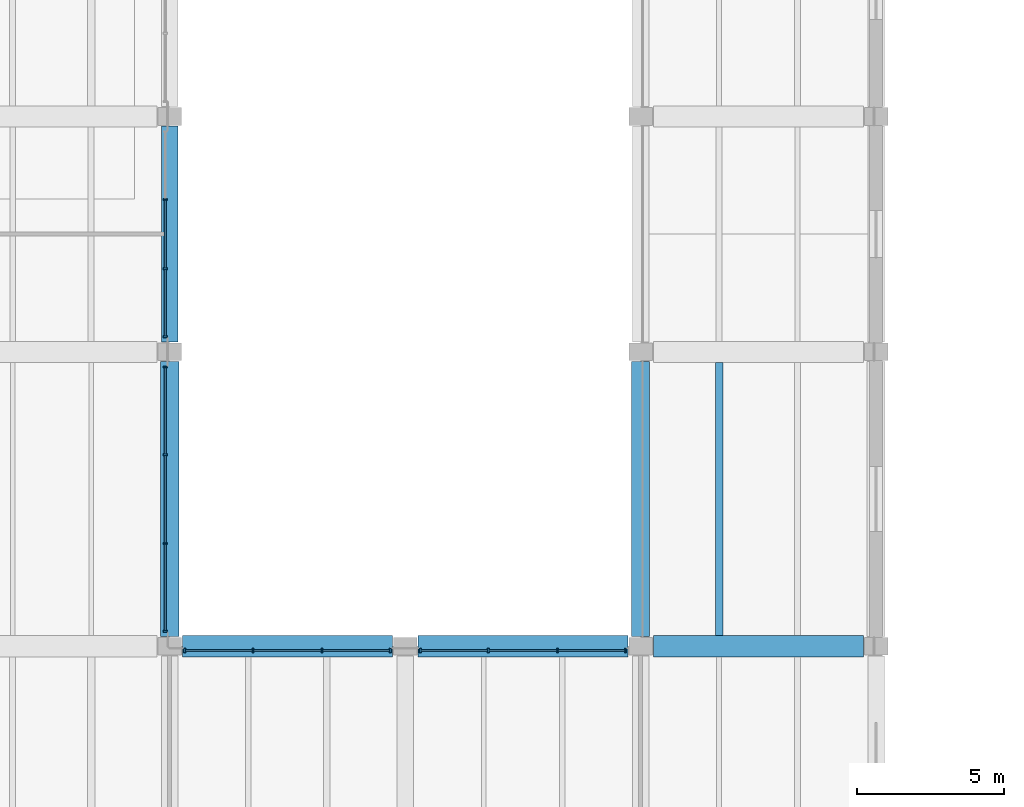
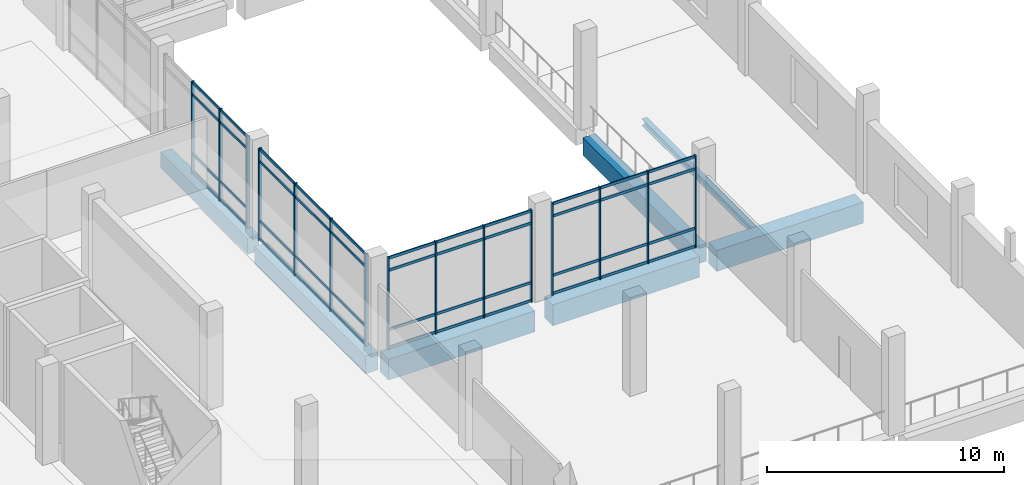
# One storey, part 23 of 61: 59 members, 7 beams, 4 elements without a shape of their own.
"""IFC4 building model written with IfcOpenShell, lengths in metres."""

from ifc_helpers import new_model, si_unit, direction, frame, origin, origin_2d, place, context, subcontext, project, spatial, rectangle, i_section, extrude, material, material_profile, profile_set, type_object, element, aggregate, save


model = new_model("IFC4")

# Units and contexts
model_context = context("Model", 3, precision=1e-05, world=origin(), true_north=direction((0.0, 1.0)))
body_context = subcontext(model_context, "Body", "Model", "MODEL_VIEW")
ifc_project = project(units=[si_unit("LENGTHUNIT", "METRE"), si_unit("AREAUNIT", "SQUARE_METRE"), si_unit("VOLUMEUNIT", "CUBIC_METRE"), si_unit("PLANEANGLEUNIT", "RADIAN"), si_unit("MASSUNIT", "GRAM", prefix="KILO")], contexts=[model_context])

# Site, building, storey
site_placement = place(None, origin())
site = spatial("IfcSite", under=ifc_project, at=site_placement, CompositionType="ELEMENT")
building_placement = place(site_placement, origin())
building = spatial("IfcBuilding", under=site, at=building_placement, Name="Pecanmere Concourse Central Library", CompositionType="ELEMENT")
storey_placement = place(building_placement, frame((0.0, 0.0, 5.39990234375)))
storey = spatial("IfcBuildingStorey", under=building, at=storey_placement, Name="L02", CompositionType="ELEMENT", Elevation=5.39990234375)

# Curtain wall, members
ifc_material_1 = material(Name="Clear anodized aluminium alloy 6063-T6", Category="aluminium")
curtain_wall_type = type_object("IfcCurtainWallType", Name="CW_CLOISTER_GLAZ", PredefinedType="USERDEFINED", material=ifc_material_1)
curtain_wall_1_placement = place(storey_placement, origin())
curtain_wall_1 = element("IfcCurtainWall", 1, at=curtain_wall_1_placement, inside=storey, type_object=curtain_wall_type, Name="Unitised Curtain Wall CW-04 L02-115", ObjectType="UNITISED CURTAIN WALL", PredefinedType="USERDEFINED")
ifc_material_2 = material(Name="Clear anodized aluminium alloy 6063-T6", Category="aluminium")
ifc_material_profile_1 = material_profile(ifc_material_2, rectangle(XDim=0.06005859375, YDim=0.14990234375, at=origin_2d()), Name="AL 60x150")
ifc_profile_set_1 = profile_set([ifc_material_profile_1], Name="Clear anodized aluminium alloy 6063-T6")
member_type_1 = type_object("IfcMemberType", Name="CWM_150x60", PredefinedType="MULLION", material=ifc_profile_set_1)
member_1_placement = place(storey_placement, frame((127.85009765625, 64.510009765625, 0.0), z_axis=(0.0, 0.0, 1.0), x_axis=(0.0, 1.0, 0.0)))
member_1 = element("IfcMember", 2, at=member_1_placement, type_object=member_type_1, Name="CW-04 Mullion 1", PredefinedType="MULLION", context=body_context, shape_type="SweptSolid", body=[
    extrude(rectangle(XDim=0.06005859375, YDim=0.14990234375, at=origin_2d()), origin(), (0.0, 0.0, 1.0), 4.760009765625),
])
member_2_placement = place(storey_placement, frame((127.85009765625, 67.493408203125, 0.0), z_axis=(0.0, 0.0, 1.0), x_axis=(0.0, 1.0, 0.0)))
member_2 = element("IfcMember", 3, at=member_2_placement, type_object=member_type_1, Name="CW-04 Mullion 2", PredefinedType="MULLION", context=body_context, shape_type="SweptSolid", body=[
    extrude(rectangle(XDim=0.06005859375, YDim=0.14990234375, at=origin_2d()), origin(), (0.0, 0.0, 1.0), 4.760009765625),
])
member_3_placement = place(storey_placement, frame((127.85009765625, 70.506591796875, 0.0), z_axis=(0.0, 0.0, 1.0), x_axis=(0.0, 1.0, 0.0)))
member_3 = element("IfcMember", 4, at=member_3_placement, type_object=member_type_1, Name="CW-04 Mullion 3", PredefinedType="MULLION", context=body_context, shape_type="SweptSolid", body=[
    extrude(rectangle(XDim=0.06005859375, YDim=0.14990234375, at=origin_2d()), origin(), (0.0, 0.0, 1.0), 4.760009765625),
])
member_4_placement = place(storey_placement, frame((127.85009765625, 73.489990234375, 0.0), z_axis=(0.0, 0.0, 1.0), x_axis=(0.0, 1.0, 0.0)))
member_4 = element("IfcMember", 5, at=member_4_placement, type_object=member_type_1, Name="CW-04 Mullion 4", PredefinedType="MULLION", context=body_context, shape_type="SweptSolid", body=[
    extrude(rectangle(XDim=0.06005859375, YDim=0.14990234375, at=origin_2d()), origin(), (0.0, 0.0, 1.0), 4.760009765625),
])

curtain_wall_2_placement = place(storey_placement, origin())
curtain_wall_2 = element("IfcCurtainWall", 6, at=curtain_wall_2_placement, inside=storey, type_object=curtain_wall_type, Name="Unitised Curtain Wall CW-04 L02-117", ObjectType="UNITISED CURTAIN WALL", PredefinedType="USERDEFINED")
member_5_placement = place(storey_placement, frame((127.85009765625, 74.510009765625, 0.0), z_axis=(0.0, 0.0, 1.0), x_axis=(0.0, 1.0, 0.0)))
member_5 = element("IfcMember", 7, at=member_5_placement, type_object=member_type_1, Name="CW-04 Mullion 1", PredefinedType="MULLION", context=body_context, shape_type="SweptSolid", body=[
    extrude(rectangle(XDim=0.06005859375, YDim=0.14990234375, at=origin_2d()), origin(), (0.0, 0.0, 1.0), 4.760009765625),
])
member_6_placement = place(storey_placement, frame((127.85009765625, 76.82666015625, 0.0), z_axis=(0.0, 0.0, 1.0), x_axis=(0.0, 1.0, 0.0)))
member_6 = element("IfcMember", 8, at=member_6_placement, type_object=member_type_1, Name="CW-04 Mullion 2", PredefinedType="MULLION", context=body_context, shape_type="SweptSolid", body=[
    extrude(rectangle(XDim=0.06005859375, YDim=0.14990234375, at=origin_2d()), origin(), (0.0, 0.0, 1.0), 4.760009765625),
])
member_7_placement = place(storey_placement, frame((127.85009765625, 79.17333984375, 0.0), z_axis=(0.0, 0.0, 1.0), x_axis=(0.0, 1.0, 0.0)))
member_7 = element("IfcMember", 9, at=member_7_placement, type_object=member_type_1, Name="CW-04 Mullion 3", PredefinedType="MULLION", context=body_context, shape_type="SweptSolid", body=[
    extrude(rectangle(XDim=0.06005859375, YDim=0.14990234375, at=origin_2d()), origin(), (0.0, 0.0, 1.0), 4.760009765625),
])

curtain_wall_3_placement = place(storey_placement, origin())
curtain_wall_3 = element("IfcCurtainWall", 10, at=curtain_wall_3_placement, inside=storey, type_object=curtain_wall_type, Name="Unitised Curtain Wall CW-04 L02-121", ObjectType="UNITISED CURTAIN WALL", PredefinedType="USERDEFINED")
member_8_placement = place(storey_placement, frame((128.510009765625, 63.85009765625, 0.0), z_axis=(0.0, 0.0, 1.0), x_axis=(1.0, 0.0, 0.0)))
member_8 = element("IfcMember", 11, at=member_8_placement, type_object=member_type_1, Name="CW-04 Mullion 1", PredefinedType="MULLION", context=body_context, shape_type="SweptSolid", body=[
    extrude(rectangle(XDim=0.06005859375, YDim=0.14990234375, at=origin_2d()), origin(), (0.0, 0.0, 1.0), 4.760009765625),
])
member_9_placement = place(storey_placement, frame((130.82666015625, 63.85009765625, 0.0), z_axis=(0.0, 0.0, 1.0), x_axis=(1.0, 0.0, 0.0)))
member_9 = element("IfcMember", 12, at=member_9_placement, type_object=member_type_1, Name="CW-04 Mullion 2", PredefinedType="MULLION", context=body_context, shape_type="SweptSolid", body=[
    extrude(rectangle(XDim=0.06005859375, YDim=0.14990234375, at=origin_2d()), origin(), (0.0, 0.0, 1.0), 4.760009765625),
])
member_10_placement = place(storey_placement, frame((133.17333984375, 63.85009765625, 0.0), z_axis=(0.0, 0.0, 1.0), x_axis=(1.0, 0.0, 0.0)))
member_10 = element("IfcMember", 13, at=member_10_placement, type_object=member_type_1, Name="CW-04 Mullion 3", PredefinedType="MULLION", context=body_context, shape_type="SweptSolid", body=[
    extrude(rectangle(XDim=0.06005859375, YDim=0.14990234375, at=origin_2d()), origin(), (0.0, 0.0, 1.0), 4.760009765625),
])
member_11_placement = place(storey_placement, frame((135.489990234375, 63.85009765625, 0.0), z_axis=(0.0, 0.0, 1.0), x_axis=(1.0, 0.0, 0.0)))
member_11 = element("IfcMember", 14, at=member_11_placement, type_object=member_type_1, Name="CW-04 Mullion 4", PredefinedType="MULLION", context=body_context, shape_type="SweptSolid", body=[
    extrude(rectangle(XDim=0.06005859375, YDim=0.14990234375, at=origin_2d()), origin(), (0.0, 0.0, 1.0), 4.760009765625),
])

curtain_wall_4_placement = place(storey_placement, origin())
curtain_wall_4 = element("IfcCurtainWall", 15, at=curtain_wall_4_placement, inside=storey, type_object=curtain_wall_type, Name="Unitised Curtain Wall CW-04 L02-123", ObjectType="UNITISED CURTAIN WALL", PredefinedType="USERDEFINED")
member_12_placement = place(storey_placement, frame((136.510009765625, 63.85009765625, 0.0), z_axis=(0.0, 0.0, 1.0), x_axis=(1.0, 0.0, 0.0)))
member_12 = element("IfcMember", 16, at=member_12_placement, type_object=member_type_1, Name="CW-04 Mullion 1", PredefinedType="MULLION", context=body_context, shape_type="SweptSolid", body=[
    extrude(rectangle(XDim=0.06005859375, YDim=0.14990234375, at=origin_2d()), origin(), (0.0, 0.0, 1.0), 4.760009765625),
])
member_13_placement = place(storey_placement, frame((138.82666015625, 63.85009765625, 0.0), z_axis=(0.0, 0.0, 1.0), x_axis=(1.0, 0.0, 0.0)))
member_13 = element("IfcMember", 17, at=member_13_placement, type_object=member_type_1, Name="CW-04 Mullion 2", PredefinedType="MULLION", context=body_context, shape_type="SweptSolid", body=[
    extrude(rectangle(XDim=0.06005859375, YDim=0.14990234375, at=origin_2d()), origin(), (0.0, 0.0, 1.0), 4.760009765625),
])
member_14_placement = place(storey_placement, frame((141.17333984375, 63.85009765625, 0.0), z_axis=(0.0, 0.0, 1.0), x_axis=(1.0, 0.0, 0.0)))
member_14 = element("IfcMember", 18, at=member_14_placement, type_object=member_type_1, Name="CW-04 Mullion 3", PredefinedType="MULLION", context=body_context, shape_type="SweptSolid", body=[
    extrude(rectangle(XDim=0.06005859375, YDim=0.14990234375, at=origin_2d()), origin(), (0.0, 0.0, 1.0), 4.760009765625),
])
member_15_placement = place(storey_placement, frame((143.489990234375, 63.85009765625, 0.0), z_axis=(0.0, 0.0, 1.0), x_axis=(1.0, 0.0, 0.0)))
member_15 = element("IfcMember", 19, at=member_15_placement, type_object=member_type_1, Name="CW-04 Mullion 4", PredefinedType="MULLION", context=body_context, shape_type="SweptSolid", body=[
    extrude(rectangle(XDim=0.06005859375, YDim=0.14990234375, at=origin_2d()), origin(), (0.0, 0.0, 1.0), 4.760009765625),
])

# Member
ifc_material_3 = material(Name="Clear anodized aluminium alloy 6063-T6", Category="aluminium")
ifc_material_profile_2 = material_profile(ifc_material_3, rectangle(XDim=0.054931640625, YDim=0.139892578125, at=origin_2d()), Name="AL 55x140")
ifc_profile_set_2 = profile_set([ifc_material_profile_2], Name="Clear anodized aluminium alloy 6063-T6")
member_type_2 = type_object("IfcMemberType", Name="CWT_140x55", PredefinedType="USERDEFINED", material=ifc_profile_set_2)
member_16_placement = place(storey_placement, frame((127.85009765625, 64.5400390625, 0.070068359375), z_axis=(0.0, 1.0, 0.0), x_axis=(-1.0, 0.0, 0.0)))
member_16 = element("IfcMember", 20, at=member_16_placement, type_object=member_type_2, Name="CW-04 Transom 1.1", ObjectType="TRANSOM", PredefinedType="USERDEFINED", context=body_context, shape_type="SweptSolid", body=[
    extrude(rectangle(XDim=0.054931640625, YDim=0.139892578125, at=origin_2d()), origin(), (0.0, 0.0, 1.0), 2.92333984375),
])

member_17_placement = place(storey_placement, frame((127.85009765625, 64.5400390625, 1.0), z_axis=(0.0, 1.0, 0.0), x_axis=(-1.0, 0.0, 0.0)))
member_17 = element("IfcMember", 21, at=member_17_placement, type_object=member_type_2, Name="CW-04 Transom 1.2", ObjectType="TRANSOM", PredefinedType="USERDEFINED", context=body_context, shape_type="SweptSolid", body=[
    extrude(rectangle(XDim=0.054931640625, YDim=0.139892578125, at=origin_2d()), origin(), (0.0, 0.0, 1.0), 2.92333984375),
])

member_18_placement = place(storey_placement, frame((127.85009765625, 64.5400390625, 4.06005859375), z_axis=(0.0, 1.0, 0.0), x_axis=(-1.0, 0.0, 0.0)))
member_18 = element("IfcMember", 22, at=member_18_placement, type_object=member_type_2, Name="CW-04 Transom 1.3", ObjectType="TRANSOM", PredefinedType="USERDEFINED", context=body_context, shape_type="SweptSolid", body=[
    extrude(rectangle(XDim=0.054931640625, YDim=0.139892578125, at=origin_2d()), origin(), (0.0, 0.0, 1.0), 2.92333984375),
])

member_19_placement = place(storey_placement, frame((127.85009765625, 64.5400390625, 4.690185546875), z_axis=(0.0, 1.0, 0.0), x_axis=(-1.0, 0.0, 0.0)))
member_19 = element("IfcMember", 23, at=member_19_placement, type_object=member_type_2, Name="CW-04 Transom 1.4", ObjectType="TRANSOM", PredefinedType="USERDEFINED", context=body_context, shape_type="SweptSolid", body=[
    extrude(rectangle(XDim=0.054931640625, YDim=0.139892578125, at=origin_2d()), origin(), (0.0, 0.0, 1.0), 2.92333984375),
])

member_20_placement = place(storey_placement, frame((127.85009765625, 67.5234375, 0.070068359375), z_axis=(0.0, 1.0, 0.0), x_axis=(-1.0, 0.0, 0.0)))
member_20 = element("IfcMember", 24, at=member_20_placement, type_object=member_type_2, Name="CW-04 Transom 2.1", ObjectType="TRANSOM", PredefinedType="USERDEFINED", context=body_context, shape_type="SweptSolid", body=[
    extrude(rectangle(XDim=0.054931640625, YDim=0.139892578125, at=origin_2d()), origin(), (0.0, 0.0, 1.0), 2.953125),
])

member_21_placement = place(storey_placement, frame((127.85009765625, 67.5234375, 1.0), z_axis=(0.0, 1.0, 0.0), x_axis=(-1.0, 0.0, 0.0)))
member_21 = element("IfcMember", 25, at=member_21_placement, type_object=member_type_2, Name="CW-04 Transom 2.2", ObjectType="TRANSOM", PredefinedType="USERDEFINED", context=body_context, shape_type="SweptSolid", body=[
    extrude(rectangle(XDim=0.054931640625, YDim=0.139892578125, at=origin_2d()), origin(), (0.0, 0.0, 1.0), 2.953125),
])

member_22_placement = place(storey_placement, frame((127.85009765625, 67.5234375, 4.06005859375), z_axis=(0.0, 1.0, 0.0), x_axis=(-1.0, 0.0, 0.0)))
member_22 = element("IfcMember", 26, at=member_22_placement, type_object=member_type_2, Name="CW-04 Transom 2.3", ObjectType="TRANSOM", PredefinedType="USERDEFINED", context=body_context, shape_type="SweptSolid", body=[
    extrude(rectangle(XDim=0.054931640625, YDim=0.139892578125, at=origin_2d()), origin(), (0.0, 0.0, 1.0), 2.953125),
])

member_23_placement = place(storey_placement, frame((127.85009765625, 67.5234375, 4.690185546875), z_axis=(0.0, 1.0, 0.0), x_axis=(-1.0, 0.0, 0.0)))
member_23 = element("IfcMember", 27, at=member_23_placement, type_object=member_type_2, Name="CW-04 Transom 2.4", ObjectType="TRANSOM", PredefinedType="USERDEFINED", context=body_context, shape_type="SweptSolid", body=[
    extrude(rectangle(XDim=0.054931640625, YDim=0.139892578125, at=origin_2d()), origin(), (0.0, 0.0, 1.0), 2.953125),
])

member_24_placement = place(storey_placement, frame((127.85009765625, 70.53662109375, 0.070068359375), z_axis=(0.0, 1.0, 0.0), x_axis=(-1.0, 0.0, 0.0)))
member_24 = element("IfcMember", 28, at=member_24_placement, type_object=member_type_2, Name="CW-04 Transom 3.1", ObjectType="TRANSOM", PredefinedType="USERDEFINED", context=body_context, shape_type="SweptSolid", body=[
    extrude(rectangle(XDim=0.054931640625, YDim=0.139892578125, at=origin_2d()), origin(), (0.0, 0.0, 1.0), 2.92333984375),
])

member_25_placement = place(storey_placement, frame((127.85009765625, 70.53662109375, 1.0), z_axis=(0.0, 1.0, 0.0), x_axis=(-1.0, 0.0, 0.0)))
member_25 = element("IfcMember", 29, at=member_25_placement, type_object=member_type_2, Name="CW-04 Transom 3.2", ObjectType="TRANSOM", PredefinedType="USERDEFINED", context=body_context, shape_type="SweptSolid", body=[
    extrude(rectangle(XDim=0.054931640625, YDim=0.139892578125, at=origin_2d()), origin(), (0.0, 0.0, 1.0), 2.92333984375),
])

member_26_placement = place(storey_placement, frame((127.85009765625, 70.53662109375, 4.06005859375), z_axis=(0.0, 1.0, 0.0), x_axis=(-1.0, 0.0, 0.0)))
member_26 = element("IfcMember", 30, at=member_26_placement, type_object=member_type_2, Name="CW-04 Transom 3.3", ObjectType="TRANSOM", PredefinedType="USERDEFINED", context=body_context, shape_type="SweptSolid", body=[
    extrude(rectangle(XDim=0.054931640625, YDim=0.139892578125, at=origin_2d()), origin(), (0.0, 0.0, 1.0), 2.92333984375),
])

member_27_placement = place(storey_placement, frame((127.85009765625, 70.53662109375, 4.690185546875), z_axis=(0.0, 1.0, 0.0), x_axis=(-1.0, 0.0, 0.0)))
member_27 = element("IfcMember", 31, at=member_27_placement, type_object=member_type_2, Name="CW-04 Transom 3.4", ObjectType="TRANSOM", PredefinedType="USERDEFINED", context=body_context, shape_type="SweptSolid", body=[
    extrude(rectangle(XDim=0.054931640625, YDim=0.139892578125, at=origin_2d()), origin(), (0.0, 0.0, 1.0), 2.92333984375),
])

aggregate(curtain_wall_1, [member_1, member_2, member_3, member_4, member_16, member_17, member_18, member_19, member_20, member_21, member_22, member_23, member_24, member_25, member_26, member_27])

member_28_placement = place(storey_placement, frame((127.85009765625, 74.5400390625, 0.070068359375), z_axis=(0.0, 1.0, 0.0), x_axis=(-1.0, 0.0, 0.0)))
member_28 = element("IfcMember", 32, at=member_28_placement, type_object=member_type_2, Name="CW-04 Transom 1.1", ObjectType="TRANSOM", PredefinedType="USERDEFINED", context=body_context, shape_type="SweptSolid", body=[
    extrude(rectangle(XDim=0.054931640625, YDim=0.139892578125, at=origin_2d()), origin(), (0.0, 0.0, 1.0), 2.256591796875),
])

member_29_placement = place(storey_placement, frame((127.85009765625, 74.5400390625, 1.0), z_axis=(0.0, 1.0, 0.0), x_axis=(-1.0, 0.0, 0.0)))
member_29 = element("IfcMember", 33, at=member_29_placement, type_object=member_type_2, Name="CW-04 Transom 1.2", ObjectType="TRANSOM", PredefinedType="USERDEFINED", context=body_context, shape_type="SweptSolid", body=[
    extrude(rectangle(XDim=0.054931640625, YDim=0.139892578125, at=origin_2d()), origin(), (0.0, 0.0, 1.0), 2.256591796875),
])

member_30_placement = place(storey_placement, frame((127.85009765625, 74.5400390625, 4.06005859375), z_axis=(0.0, 1.0, 0.0), x_axis=(-1.0, 0.0, 0.0)))
member_30 = element("IfcMember", 34, at=member_30_placement, type_object=member_type_2, Name="CW-04 Transom 1.3", ObjectType="TRANSOM", PredefinedType="USERDEFINED", context=body_context, shape_type="SweptSolid", body=[
    extrude(rectangle(XDim=0.054931640625, YDim=0.139892578125, at=origin_2d()), origin(), (0.0, 0.0, 1.0), 2.256591796875),
])

member_31_placement = place(storey_placement, frame((127.85009765625, 74.5400390625, 4.690185546875), z_axis=(0.0, 1.0, 0.0), x_axis=(-1.0, 0.0, 0.0)))
member_31 = element("IfcMember", 35, at=member_31_placement, type_object=member_type_2, Name="CW-04 Transom 1.4", ObjectType="TRANSOM", PredefinedType="USERDEFINED", context=body_context, shape_type="SweptSolid", body=[
    extrude(rectangle(XDim=0.054931640625, YDim=0.139892578125, at=origin_2d()), origin(), (0.0, 0.0, 1.0), 2.256591796875),
])

member_32_placement = place(storey_placement, frame((127.85009765625, 76.856689453125, 0.070068359375), z_axis=(0.0, 1.0, 0.0), x_axis=(-1.0, 0.0, 0.0)))
member_32 = element("IfcMember", 36, at=member_32_placement, type_object=member_type_2, Name="CW-04 Transom 2.1", ObjectType="TRANSOM", PredefinedType="USERDEFINED", context=body_context, shape_type="SweptSolid", body=[
    extrude(rectangle(XDim=0.054931640625, YDim=0.139892578125, at=origin_2d()), origin(), (0.0, 0.0, 1.0), 2.28662109375),
])

member_33_placement = place(storey_placement, frame((127.85009765625, 76.856689453125, 1.0), z_axis=(0.0, 1.0, 0.0), x_axis=(-1.0, 0.0, 0.0)))
member_33 = element("IfcMember", 37, at=member_33_placement, type_object=member_type_2, Name="CW-04 Transom 2.2", ObjectType="TRANSOM", PredefinedType="USERDEFINED", context=body_context, shape_type="SweptSolid", body=[
    extrude(rectangle(XDim=0.054931640625, YDim=0.139892578125, at=origin_2d()), origin(), (0.0, 0.0, 1.0), 2.28662109375),
])

member_34_placement = place(storey_placement, frame((127.85009765625, 76.856689453125, 4.06005859375), z_axis=(0.0, 1.0, 0.0), x_axis=(-1.0, 0.0, 0.0)))
member_34 = element("IfcMember", 38, at=member_34_placement, type_object=member_type_2, Name="CW-04 Transom 2.3", ObjectType="TRANSOM", PredefinedType="USERDEFINED", context=body_context, shape_type="SweptSolid", body=[
    extrude(rectangle(XDim=0.054931640625, YDim=0.139892578125, at=origin_2d()), origin(), (0.0, 0.0, 1.0), 2.28662109375),
])

member_35_placement = place(storey_placement, frame((127.85009765625, 76.856689453125, 4.690185546875), z_axis=(0.0, 1.0, 0.0), x_axis=(-1.0, 0.0, 0.0)))
member_35 = element("IfcMember", 39, at=member_35_placement, type_object=member_type_2, Name="CW-04 Transom 2.4", ObjectType="TRANSOM", PredefinedType="USERDEFINED", context=body_context, shape_type="SweptSolid", body=[
    extrude(rectangle(XDim=0.054931640625, YDim=0.139892578125, at=origin_2d()), origin(), (0.0, 0.0, 1.0), 2.28662109375),
])

aggregate(curtain_wall_2, [member_5, member_6, member_7, member_28, member_29, member_30, member_31, member_32, member_33, member_34, member_35])

member_36_placement = place(storey_placement, frame((128.5400390625, 63.85009765625, 0.070068359375), z_axis=(1.0, 0.0, 0.0), x_axis=(0.0, 1.0, 0.0)))
member_36 = element("IfcMember", 40, at=member_36_placement, type_object=member_type_2, Name="CW-04 Transom 1.1", ObjectType="TRANSOM", PredefinedType="USERDEFINED", context=body_context, shape_type="SweptSolid", body=[
    extrude(rectangle(XDim=0.054931640625, YDim=0.139892578125, at=origin_2d()), origin(), (0.0, 0.0, 1.0), 2.256591796875),
])

member_37_placement = place(storey_placement, frame((128.5400390625, 63.85009765625, 1.0), z_axis=(1.0, 0.0, 0.0), x_axis=(0.0, 1.0, 0.0)))
member_37 = element("IfcMember", 41, at=member_37_placement, type_object=member_type_2, Name="CW-04 Transom 1.2", ObjectType="TRANSOM", PredefinedType="USERDEFINED", context=body_context, shape_type="SweptSolid", body=[
    extrude(rectangle(XDim=0.054931640625, YDim=0.139892578125, at=origin_2d()), origin(), (0.0, 0.0, 1.0), 2.256591796875),
])

member_38_placement = place(storey_placement, frame((128.5400390625, 63.85009765625, 4.06005859375), z_axis=(1.0, 0.0, 0.0), x_axis=(0.0, 1.0, 0.0)))
member_38 = element("IfcMember", 42, at=member_38_placement, type_object=member_type_2, Name="CW-04 Transom 1.3", ObjectType="TRANSOM", PredefinedType="USERDEFINED", context=body_context, shape_type="SweptSolid", body=[
    extrude(rectangle(XDim=0.054931640625, YDim=0.139892578125, at=origin_2d()), origin(), (0.0, 0.0, 1.0), 2.256591796875),
])

member_39_placement = place(storey_placement, frame((128.5400390625, 63.85009765625, 4.690185546875), z_axis=(1.0, 0.0, 0.0), x_axis=(0.0, 1.0, 0.0)))
member_39 = element("IfcMember", 43, at=member_39_placement, type_object=member_type_2, Name="CW-04 Transom 1.4", ObjectType="TRANSOM", PredefinedType="USERDEFINED", context=body_context, shape_type="SweptSolid", body=[
    extrude(rectangle(XDim=0.054931640625, YDim=0.139892578125, at=origin_2d()), origin(), (0.0, 0.0, 1.0), 2.256591796875),
])

member_40_placement = place(storey_placement, frame((130.856689453125, 63.85009765625, 0.070068359375), z_axis=(1.0, 0.0, 0.0), x_axis=(0.0, 1.0, 0.0)))
member_40 = element("IfcMember", 44, at=member_40_placement, type_object=member_type_2, Name="CW-04 Transom 2.1", ObjectType="TRANSOM", PredefinedType="USERDEFINED", context=body_context, shape_type="SweptSolid", body=[
    extrude(rectangle(XDim=0.054931640625, YDim=0.139892578125, at=origin_2d()), origin(), (0.0, 0.0, 1.0), 2.28662109375),
])

member_41_placement = place(storey_placement, frame((130.856689453125, 63.85009765625, 1.0), z_axis=(1.0, 0.0, 0.0), x_axis=(0.0, 1.0, 0.0)))
member_41 = element("IfcMember", 45, at=member_41_placement, type_object=member_type_2, Name="CW-04 Transom 2.2", ObjectType="TRANSOM", PredefinedType="USERDEFINED", context=body_context, shape_type="SweptSolid", body=[
    extrude(rectangle(XDim=0.054931640625, YDim=0.139892578125, at=origin_2d()), origin(), (0.0, 0.0, 1.0), 2.28662109375),
])

member_42_placement = place(storey_placement, frame((130.856689453125, 63.85009765625, 4.06005859375), z_axis=(1.0, 0.0, 0.0), x_axis=(0.0, 1.0, 0.0)))
member_42 = element("IfcMember", 46, at=member_42_placement, type_object=member_type_2, Name="CW-04 Transom 2.3", ObjectType="TRANSOM", PredefinedType="USERDEFINED", context=body_context, shape_type="SweptSolid", body=[
    extrude(rectangle(XDim=0.054931640625, YDim=0.139892578125, at=origin_2d()), origin(), (0.0, 0.0, 1.0), 2.28662109375),
])

member_43_placement = place(storey_placement, frame((130.856689453125, 63.85009765625, 4.690185546875), z_axis=(1.0, 0.0, 0.0), x_axis=(0.0, 1.0, 0.0)))
member_43 = element("IfcMember", 47, at=member_43_placement, type_object=member_type_2, Name="CW-04 Transom 2.4", ObjectType="TRANSOM", PredefinedType="USERDEFINED", context=body_context, shape_type="SweptSolid", body=[
    extrude(rectangle(XDim=0.054931640625, YDim=0.139892578125, at=origin_2d()), origin(), (0.0, 0.0, 1.0), 2.28662109375),
])

member_44_placement = place(storey_placement, frame((133.203369140625, 63.85009765625, 0.070068359375), z_axis=(1.0, 0.0, 0.0), x_axis=(0.0, 1.0, 0.0)))
member_44 = element("IfcMember", 48, at=member_44_placement, type_object=member_type_2, Name="CW-04 Transom 3.1", ObjectType="TRANSOM", PredefinedType="USERDEFINED", context=body_context, shape_type="SweptSolid", body=[
    extrude(rectangle(XDim=0.054931640625, YDim=0.139892578125, at=origin_2d()), origin(), (0.0, 0.0, 1.0), 2.256591796875),
])

member_45_placement = place(storey_placement, frame((133.203369140625, 63.85009765625, 1.0), z_axis=(1.0, 0.0, 0.0), x_axis=(0.0, 1.0, 0.0)))
member_45 = element("IfcMember", 49, at=member_45_placement, type_object=member_type_2, Name="CW-04 Transom 3.2", ObjectType="TRANSOM", PredefinedType="USERDEFINED", context=body_context, shape_type="SweptSolid", body=[
    extrude(rectangle(XDim=0.054931640625, YDim=0.139892578125, at=origin_2d()), origin(), (0.0, 0.0, 1.0), 2.256591796875),
])

member_46_placement = place(storey_placement, frame((133.203369140625, 63.85009765625, 4.06005859375), z_axis=(1.0, 0.0, 0.0), x_axis=(0.0, 1.0, 0.0)))
member_46 = element("IfcMember", 50, at=member_46_placement, type_object=member_type_2, Name="CW-04 Transom 3.3", ObjectType="TRANSOM", PredefinedType="USERDEFINED", context=body_context, shape_type="SweptSolid", body=[
    extrude(rectangle(XDim=0.054931640625, YDim=0.139892578125, at=origin_2d()), origin(), (0.0, 0.0, 1.0), 2.256591796875),
])

member_47_placement = place(storey_placement, frame((133.203369140625, 63.85009765625, 4.690185546875), z_axis=(1.0, 0.0, 0.0), x_axis=(0.0, 1.0, 0.0)))
member_47 = element("IfcMember", 51, at=member_47_placement, type_object=member_type_2, Name="CW-04 Transom 3.4", ObjectType="TRANSOM", PredefinedType="USERDEFINED", context=body_context, shape_type="SweptSolid", body=[
    extrude(rectangle(XDim=0.054931640625, YDim=0.139892578125, at=origin_2d()), origin(), (0.0, 0.0, 1.0), 2.256591796875),
])

aggregate(curtain_wall_3, [member_8, member_9, member_10, member_11, member_36, member_37, member_38, member_39, member_40, member_41, member_42, member_43, member_44, member_45, member_46, member_47])

member_48_placement = place(storey_placement, frame((136.5400390625, 63.85009765625, 0.070068359375), z_axis=(1.0, 0.0, 0.0), x_axis=(0.0, 1.0, 0.0)))
member_48 = element("IfcMember", 52, at=member_48_placement, type_object=member_type_2, Name="CW-04 Transom 1.1", ObjectType="TRANSOM", PredefinedType="USERDEFINED", context=body_context, shape_type="SweptSolid", body=[
    extrude(rectangle(XDim=0.054931640625, YDim=0.139892578125, at=origin_2d()), origin(), (0.0, 0.0, 1.0), 2.256591796875),
])

member_49_placement = place(storey_placement, frame((136.5400390625, 63.85009765625, 1.0), z_axis=(1.0, 0.0, 0.0), x_axis=(0.0, 1.0, 0.0)))
member_49 = element("IfcMember", 53, at=member_49_placement, type_object=member_type_2, Name="CW-04 Transom 1.2", ObjectType="TRANSOM", PredefinedType="USERDEFINED", context=body_context, shape_type="SweptSolid", body=[
    extrude(rectangle(XDim=0.054931640625, YDim=0.139892578125, at=origin_2d()), origin(), (0.0, 0.0, 1.0), 2.256591796875),
])

member_50_placement = place(storey_placement, frame((136.5400390625, 63.85009765625, 4.06005859375), z_axis=(1.0, 0.0, 0.0), x_axis=(0.0, 1.0, 0.0)))
member_50 = element("IfcMember", 54, at=member_50_placement, type_object=member_type_2, Name="CW-04 Transom 1.3", ObjectType="TRANSOM", PredefinedType="USERDEFINED", context=body_context, shape_type="SweptSolid", body=[
    extrude(rectangle(XDim=0.054931640625, YDim=0.139892578125, at=origin_2d()), origin(), (0.0, 0.0, 1.0), 2.256591796875),
])

member_51_placement = place(storey_placement, frame((136.5400390625, 63.85009765625, 4.690185546875), z_axis=(1.0, 0.0, 0.0), x_axis=(0.0, 1.0, 0.0)))
member_51 = element("IfcMember", 55, at=member_51_placement, type_object=member_type_2, Name="CW-04 Transom 1.4", ObjectType="TRANSOM", PredefinedType="USERDEFINED", context=body_context, shape_type="SweptSolid", body=[
    extrude(rectangle(XDim=0.054931640625, YDim=0.139892578125, at=origin_2d()), origin(), (0.0, 0.0, 1.0), 2.256591796875),
])

member_52_placement = place(storey_placement, frame((138.856689453125, 63.85009765625, 0.070068359375), z_axis=(1.0, 0.0, 0.0), x_axis=(0.0, 1.0, 0.0)))
member_52 = element("IfcMember", 56, at=member_52_placement, type_object=member_type_2, Name="CW-04 Transom 2.1", ObjectType="TRANSOM", PredefinedType="USERDEFINED", context=body_context, shape_type="SweptSolid", body=[
    extrude(rectangle(XDim=0.054931640625, YDim=0.139892578125, at=origin_2d()), origin(), (0.0, 0.0, 1.0), 2.28662109375),
])

member_53_placement = place(storey_placement, frame((138.856689453125, 63.85009765625, 1.0), z_axis=(1.0, 0.0, 0.0), x_axis=(0.0, 1.0, 0.0)))
member_53 = element("IfcMember", 57, at=member_53_placement, type_object=member_type_2, Name="CW-04 Transom 2.2", ObjectType="TRANSOM", PredefinedType="USERDEFINED", context=body_context, shape_type="SweptSolid", body=[
    extrude(rectangle(XDim=0.054931640625, YDim=0.139892578125, at=origin_2d()), origin(), (0.0, 0.0, 1.0), 2.28662109375),
])

member_54_placement = place(storey_placement, frame((138.856689453125, 63.85009765625, 4.06005859375), z_axis=(1.0, 0.0, 0.0), x_axis=(0.0, 1.0, 0.0)))
member_54 = element("IfcMember", 58, at=member_54_placement, type_object=member_type_2, Name="CW-04 Transom 2.3", ObjectType="TRANSOM", PredefinedType="USERDEFINED", context=body_context, shape_type="SweptSolid", body=[
    extrude(rectangle(XDim=0.054931640625, YDim=0.139892578125, at=origin_2d()), origin(), (0.0, 0.0, 1.0), 2.28662109375),
])

member_55_placement = place(storey_placement, frame((138.856689453125, 63.85009765625, 4.690185546875), z_axis=(1.0, 0.0, 0.0), x_axis=(0.0, 1.0, 0.0)))
member_55 = element("IfcMember", 59, at=member_55_placement, type_object=member_type_2, Name="CW-04 Transom 2.4", ObjectType="TRANSOM", PredefinedType="USERDEFINED", context=body_context, shape_type="SweptSolid", body=[
    extrude(rectangle(XDim=0.054931640625, YDim=0.139892578125, at=origin_2d()), origin(), (0.0, 0.0, 1.0), 2.28662109375),
])

member_56_placement = place(storey_placement, frame((141.203369140625, 63.85009765625, 0.070068359375), z_axis=(1.0, 0.0, 0.0), x_axis=(0.0, 1.0, 0.0)))
member_56 = element("IfcMember", 60, at=member_56_placement, type_object=member_type_2, Name="CW-04 Transom 3.1", ObjectType="TRANSOM", PredefinedType="USERDEFINED", context=body_context, shape_type="SweptSolid", body=[
    extrude(rectangle(XDim=0.054931640625, YDim=0.139892578125, at=origin_2d()), origin(), (0.0, 0.0, 1.0), 2.256591796875),
])

member_57_placement = place(storey_placement, frame((141.203369140625, 63.85009765625, 1.0), z_axis=(1.0, 0.0, 0.0), x_axis=(0.0, 1.0, 0.0)))
member_57 = element("IfcMember", 61, at=member_57_placement, type_object=member_type_2, Name="CW-04 Transom 3.2", ObjectType="TRANSOM", PredefinedType="USERDEFINED", context=body_context, shape_type="SweptSolid", body=[
    extrude(rectangle(XDim=0.054931640625, YDim=0.139892578125, at=origin_2d()), origin(), (0.0, 0.0, 1.0), 2.256591796875),
])

member_58_placement = place(storey_placement, frame((141.203369140625, 63.85009765625, 4.06005859375), z_axis=(1.0, 0.0, 0.0), x_axis=(0.0, 1.0, 0.0)))
member_58 = element("IfcMember", 62, at=member_58_placement, type_object=member_type_2, Name="CW-04 Transom 3.3", ObjectType="TRANSOM", PredefinedType="USERDEFINED", context=body_context, shape_type="SweptSolid", body=[
    extrude(rectangle(XDim=0.054931640625, YDim=0.139892578125, at=origin_2d()), origin(), (0.0, 0.0, 1.0), 2.256591796875),
])

member_59_placement = place(storey_placement, frame((141.203369140625, 63.85009765625, 4.690185546875), z_axis=(1.0, 0.0, 0.0), x_axis=(0.0, 1.0, 0.0)))
member_59 = element("IfcMember", 63, at=member_59_placement, type_object=member_type_2, Name="CW-04 Transom 3.4", ObjectType="TRANSOM", PredefinedType="USERDEFINED", context=body_context, shape_type="SweptSolid", body=[
    extrude(rectangle(XDim=0.054931640625, YDim=0.139892578125, at=origin_2d()), origin(), (0.0, 0.0, 1.0), 2.256591796875),
])

aggregate(curtain_wall_4, [member_12, member_13, member_14, member_15, member_48, member_49, member_50, member_51, member_52, member_53, member_54, member_55, member_56, member_57, member_58, member_59])

# Beams
ifc_material_4 = material(Name="Concrete C40/50", Category="concrete")
ifc_material_profile_3 = material_profile(ifc_material_4, rectangle(XDim=0.56005859375, YDim=0.830078125, at=origin_2d()), Name="RC 560x830")
ifc_profile_set_3 = profile_set([ifc_material_profile_3], Name="Concrete C40/50")
beam_type_1 = type_object("IfcBeamType", Name="GRD_560x830", PredefinedType="USERDEFINED", material=ifc_profile_set_3)
beam_1_placement = place(storey_placement, frame((128.0, 74.330078125, -0.784912109375), z_axis=(0.0, 1.0, 0.0), x_axis=(-1.0, 0.0, 0.0)))
element("IfcBeam", 64, at=beam_1_placement, inside=storey, type_object=beam_type_1, Name="Primary Girder Y L02-1113", ObjectType="GIRDER", PredefinedType="USERDEFINED", context=body_context, shape_type="SweptSolid", body=[
    extrude(rectangle(XDim=0.56005859375, YDim=0.830078125, at=origin_2d()), origin(), (0.0, 0.0, 1.0), 7.33984375),
])
ifc_material_5 = material(Name="Concrete C40/50", Category="concrete")
ifc_material_profile_4 = material_profile(ifc_material_5, rectangle(XDim=0.6201171875, YDim=0.919921875, at=origin_2d()), Name="RC 620x920")
ifc_profile_set_4 = profile_set([ifc_material_profile_4], Name="Concrete C40/50")
beam_type_2 = type_object("IfcBeamType", Name="GRD_620x920", PredefinedType="USERDEFINED", material=ifc_profile_set_4)
for number, where, z_axis, x_axis, name in (
    (65, (128.0, 64.330078125, -0.829833984375), (0.0, 1.0, 0.0), (-1.0, 0.0, 0.0), "Primary Girder Y L02-1112"),
    (66, (144.0, 64.330078125, -0.829833984375), (0.0, 1.0, 0.0), (-1.0, 0.0, 0.0), "Primary Girder Y L02-1131"),
):
    element("IfcBeam", number, at=place(storey_placement, frame(where, z_axis=z_axis, x_axis=x_axis)), inside=storey, type_object=beam_type_2, Name=name, ObjectType="GIRDER", PredefinedType="USERDEFINED", context=body_context, shape_type="SweptSolid", body=[
        extrude(rectangle(XDim=0.6201171875, YDim=0.919921875, at=origin_2d()), origin(), (0.0, 0.0, 1.0), 9.33984375),
    ])
ifc_material_6 = material(Name="Concrete C40/50", Category="concrete")
ifc_material_profile_5 = material_profile(ifc_material_6, rectangle(XDim=0.719970703125, YDim=1.080078125, at=origin_2d()), Name="RC 720x1080")
ifc_profile_set_5 = profile_set([ifc_material_profile_5], Name="Concrete C40/50")
beam_type_3 = type_object("IfcBeamType", Name="GRD_720x1080", PredefinedType="USERDEFINED", material=ifc_profile_set_5)
for number, where, z_axis, x_axis, name in (
    (67, (128.429931640625, 64.0, -0.909912109375), (1.0, 0.0, 0.0), (0.0, 1.0, 0.0), "Primary Girder X L02-0882"),
    (68, (136.429931640625, 64.0, -0.909912109375), (1.0, 0.0, 0.0), (0.0, 1.0, 0.0), "Primary Girder X L02-0883"),
    (69, (144.429931640625, 64.0, -0.909912109375), (1.0, 0.0, 0.0), (0.0, 1.0, 0.0), "Primary Girder X L02-0884"),
):
    element("IfcBeam", number, at=place(storey_placement, frame(where, z_axis=z_axis, x_axis=x_axis)), inside=storey, type_object=beam_type_3, Name=name, ObjectType="GIRDER", PredefinedType="USERDEFINED", context=body_context, shape_type="SweptSolid", body=[
        extrude(rectangle(XDim=0.719970703125, YDim=1.080078125, at=origin_2d()), origin(), (0.0, 0.0, 1.0), 7.14013671875),
    ])
ifc_material_7 = material(Name="Structural steel ASTM A992 Grade 50", Category="steel")
ifc_material_profile_6 = material_profile(ifc_material_7, i_section(OverallWidth=0.25390625, OverallDepth=0.35302734375, WebThickness=0.009521484375, FlangeThickness=0.016357421875, at=origin_2d()), Name="W360x91")
ifc_profile_set_6 = profile_set([ifc_material_profile_6], Name="Structural steel ASTM A992 Grade 50")
beam_type_4 = type_object("IfcBeamType", Name="SBM_W360x91", PredefinedType="BEAM", material=ifc_profile_set_6)
beam_2_placement = place(storey_placement, frame((146.666748046875, 64.360107421875, -0.54638671875), z_axis=(0.0, 1.0, 0.0), x_axis=(-1.0, 0.0, 0.0)))
element("IfcBeam", 70, at=beam_2_placement, inside=storey, type_object=beam_type_4, Name="Secondary Floor Joist L02-1438", PredefinedType="BEAM", context=body_context, shape_type="SweptSolid", body=[
    extrude(i_section(OverallWidth=0.25390625, OverallDepth=0.35302734375, WebThickness=0.009521484375, FlangeThickness=0.016357421875, at=origin_2d()), origin(), (0.0, 0.0, 1.0), 9.27978515625),
])

save(model, "model.ifc")
